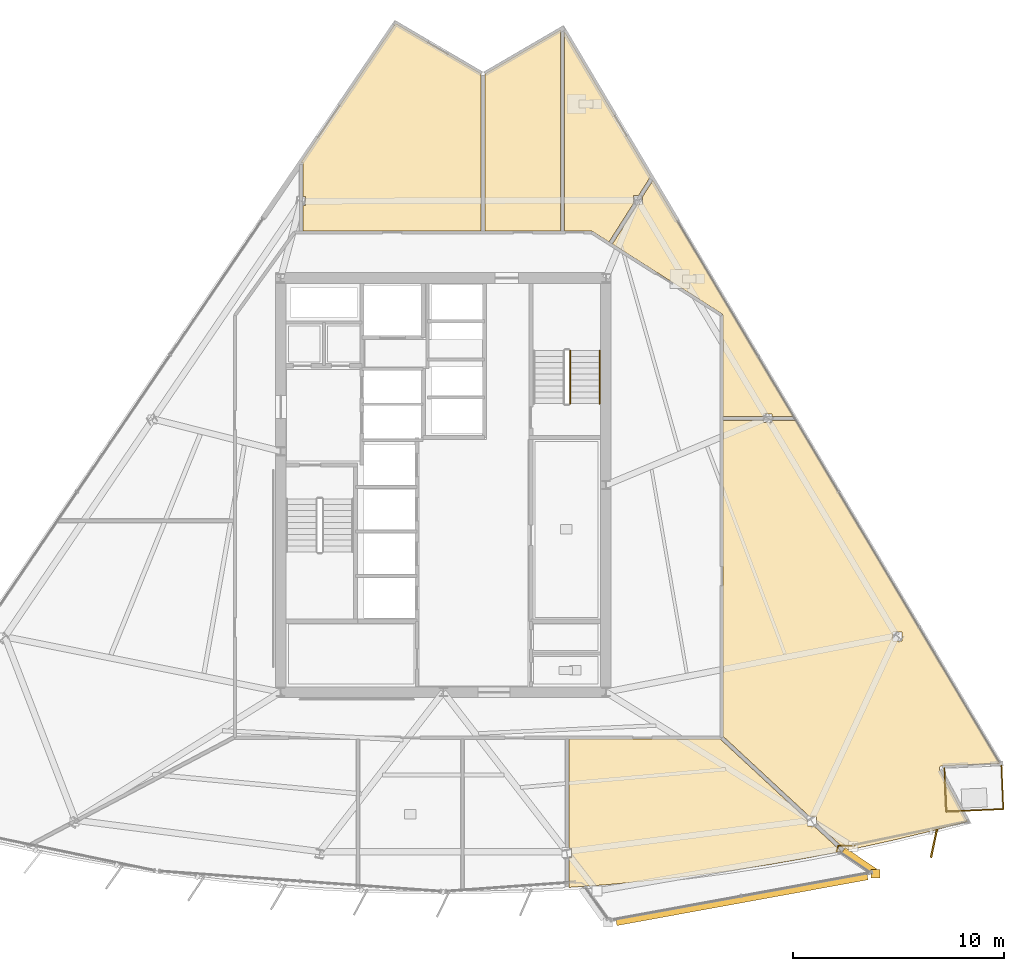
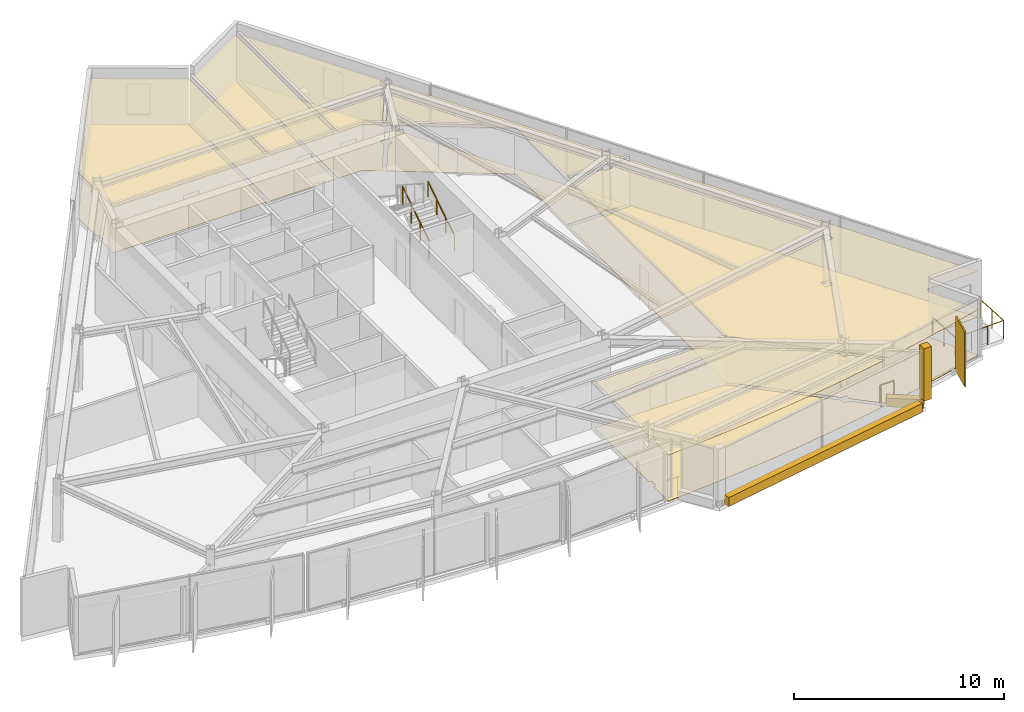
# One storey, part 11 of 12: 15 coverings, 6 railings, 1 shading device.
"""IFC4 building model written with IfcOpenShell, lengths in metres."""

import ifcopenshell
import ifcopenshell.guid

model = None  # the IFC model being written
_history = None  # IfcOwnerHistory: only IFC2X3 demands one
_inside = {}  # id of a spatial element -> (the spatial element, [elements in it])
_under = {}  # id of a project, library or spatial element -> (it, [spatial elements below it])
_declared = {}  # id of a project -> (the project, [libraries it declares])
_typed = {}  # id of a type object -> (the type object, [elements of that type])
_made_of = {}  # id of a material, layer set ... -> (it, [elements and type objects made of it])


def new_model(schema):
    """Start an empty IFC model of exactly this schema.

    Asked for "IFC4X3", IfcOpenShell would pick the latest addendum, in which some entities
    have other attributes; the version numbers below select the first issue.
    IFC2X3 requires an IfcOwnerHistory on every rooted entity: one is made here for all.
    """
    global model, _history
    if schema == "IFC4X3":
        model = ifcopenshell.file(schema_version=(4, 3, 0, 0))
    else:
        model = ifcopenshell.file(schema=schema)
    _inside.clear()
    _under.clear()
    _declared.clear()
    _typed.clear()
    _made_of.clear()
    _history = None
    if model.schema == "IFC2X3":
        org = make("IfcOrganization", Name="unknown")
        user = make(
            "IfcPersonAndOrganization",
            ThePerson=make("IfcPerson", FamilyName="unknown"),
            TheOrganization=org,
        )
        app = make(
            "IfcApplication",
            ApplicationDeveloper=org,
            Version="unknown",
            ApplicationFullName="unknown",
            ApplicationIdentifier="unknown",
        )
        _history = make(
            "IfcOwnerHistory",
            OwningUser=user,
            OwningApplication=app,
            ChangeAction="ADDED",
            CreationDate=0,
        )
    return model


def make(cls, **values):
    """One entity of the class cls with the attributes given. An attribute that is None is left unset."""
    return model.create_entity(
        cls, **{name: value for name, value in values.items() if value is not None}
    )


def rooted(cls, **values):
    """An entity with a GlobalId (a new one), such as an element, a storey or a relation."""
    return make(cls, GlobalId=ifcopenshell.guid.new(), OwnerHistory=_history, **values)


def si_unit(unit_type, name, prefix=None):
    """IfcSIUnit, for example si_unit("LENGTHUNIT", "METRE", prefix="MILLI")."""
    return make("IfcSIUnit", UnitType=unit_type, Prefix=prefix, Name=name)


def assignment(units):
    """IfcUnitAssignment: the units of a project."""
    return None if units is None else make("IfcUnitAssignment", Units=units)


def point(xyz):
    """IfcCartesianPoint."""
    return None if xyz is None else make("IfcCartesianPoint", Coordinates=xyz)


def direction(xyz):
    """IfcDirection."""
    return None if xyz is None else make("IfcDirection", DirectionRatios=xyz)


def frame(location, z_axis=None, x_axis=None):
    """IfcAxis2Placement3D, a coordinate frame: its origin and axes. An axis left out is left unset."""
    return make(
        "IfcAxis2Placement3D",
        Location=point(location),
        Axis=direction(z_axis),
        RefDirection=direction(x_axis),
    )


def frame_2d(location, x_axis=None):
    """IfcAxis2Placement2D, a coordinate frame in the plane: its origin and x axis."""
    return make(
        "IfcAxis2Placement2D", Location=point(location), RefDirection=direction(x_axis)
    )


def origin():
    """The frame at (0, 0, 0) with its axes left unset."""
    return frame((0.0, 0.0, 0.0))


def origin_2d():
    """The frame at (0, 0) in the plane with its x axis left unset."""
    return frame_2d((0.0, 0.0))


def place(relative_to, where):
    """IfcLocalPlacement: puts the frame where relative to a parent placement (None: the world)."""
    return make(
        "IfcLocalPlacement", PlacementRelTo=relative_to, RelativePlacement=where
    )


def context(
    kind, dimensions, precision=None, world=None, true_north=None, identifier=None
):
    """IfcGeometricRepresentationContext, for example the 3D "Model" context."""
    return make(
        "IfcGeometricRepresentationContext",
        ContextIdentifier=identifier,
        ContextType=kind,
        CoordinateSpaceDimension=dimensions,
        Precision=precision,
        WorldCoordinateSystem=world,
        TrueNorth=true_north,
    )


def subcontext(parent, identifier, kind, view, scale=None):
    """IfcGeometricRepresentationSubContext, for example "Body" below "Model"."""
    return make(
        "IfcGeometricRepresentationSubContext",
        ContextIdentifier=identifier,
        ContextType=kind,
        ParentContext=parent,
        TargetScale=scale,
        TargetView=view,
    )


def project(units=None, contexts=None):
    """IfcProject with its units and contexts."""
    return rooted(
        "IfcProject",
        Name="project",
        RepresentationContexts=contexts,
        UnitsInContext=assignment(units),
    )


def spatial(cls, under=None, at=None, **own):
    """A site, building, storey or space (cls), placed at a placement, below another one or the project."""
    s = rooted(cls, ObjectPlacement=at, **own)
    if under is not None:
        _under.setdefault(under.id(), (under, []))[1].append(s)
    return s


def polyline(points):
    """IfcPolyline through the points."""
    return make("IfcPolyline", Points=[point(p) for p in points])


def profile(cls, at=None, kind="AREA", **sizes):
    """A parametric profile (cls). Its sizes go by their IFC names, for example OverallWidth=200.0."""
    return make(cls, ProfileType=kind, Position=at, **sizes)


def rectangle(**sizes):
    """IfcRectangleProfileDef."""
    return profile("IfcRectangleProfileDef", **sizes)


def circle(**sizes):
    """IfcCircleProfileDef."""
    return profile("IfcCircleProfileDef", **sizes)


def outline(outer, holes=None, kind="AREA"):
    """IfcArbitraryClosedProfileDef: a profile drawn as a closed curve; with holes, ...WithVoids."""
    if holes is None:
        return make("IfcArbitraryClosedProfileDef", ProfileType=kind, OuterCurve=outer)
    return make(
        "IfcArbitraryProfileDefWithVoids",
        ProfileType=kind,
        OuterCurve=outer,
        InnerCurves=holes,
    )


def extrude(swept, where, along, depth):
    """IfcExtrudedAreaSolid: the profile swept, set in the frame where, extruded along a direction by depth."""
    return make(
        "IfcExtrudedAreaSolid",
        SweptArea=swept,
        Position=where,
        ExtrudedDirection=direction(along),
        Depth=depth,
    )


def shape(context_of_items, identifier, shape_type, items):
    """IfcShapeRepresentation: the items that make up one representation, for example the "Body"."""
    return make(
        "IfcShapeRepresentation",
        ContextOfItems=context_of_items,
        RepresentationIdentifier=identifier,
        RepresentationType=shape_type,
        Items=items,
    )


def material(Name=None, Category=None):
    """IfcMaterial."""
    return make("IfcMaterial", Name=Name, Category=Category)


def layer(
    of_material, thickness, ventilated=None, Name=None, Category=None, Priority=None
):
    """IfcMaterialLayer: one layer of a wall or slab, of a material (None: an air gap)."""
    return make(
        "IfcMaterialLayer",
        Material=of_material,
        LayerThickness=thickness,
        IsVentilated=ventilated,
        Name=Name,
        Category=Category,
        Priority=Priority,
    )


def layer_set(layers, Name=None):
    """IfcMaterialLayerSet."""
    return make("IfcMaterialLayerSet", MaterialLayers=layers, LayerSetName=Name)


def made_of(thing, what):
    """Note that an element or type object is made of a material, layer set ...; save() writes the relation."""
    if what is not None:
        _made_of.setdefault(what.id(), (what, []))[1].append(thing)
    return thing


def type_object(cls, material=None, **own):
    """A type object (cls), such as IfcWallType, which elements share."""
    return made_of(rooted(cls, **own), material)


def element(
    cls,
    number,
    at=None,
    inside=None,
    cuts=None,
    type_object=None,
    material=None,
    context=None,
    identifier="Body",
    shape_type=None,
    held_by="IfcProductDefinitionShape",
    body=None,
    shapes=None,
    **own,
):
    """One element of the class cls, such as IfcWall. Its Tag is "e" and its number.

    at: its placement. inside: the storey or other place that contains it. cuts: it is an
    opening in that element (IfcRelVoidsElement). A single representation is given by context,
    identifier, shape_type and body (its items); several are given by shapes. held_by: the class
    of the entity that holds the representations. save() writes the other relations.
    """
    e = rooted(cls, Tag="e%d" % number, ObjectPlacement=at, **own)
    if body is not None:
        shapes = [shape(context, identifier, shape_type, body)]
    if shapes is not None:
        e.Representation = make(held_by, Representations=shapes)
    if inside is not None:
        _inside.setdefault(inside.id(), (inside, []))[1].append(e)
    if cuts is not None:
        rooted(
            "IfcRelVoidsElement", RelatingBuildingElement=cuts, RelatedOpeningElement=e
        )
    if type_object is not None:
        _typed.setdefault(type_object.id(), (type_object, []))[1].append(e)
    return made_of(e, material)


def aggregate(whole, parts):
    """IfcRelAggregates: a whole, such as a stair, and the parts it consists of."""
    return rooted("IfcRelAggregates", RelatingObject=whole, RelatedObjects=parts)


def save(model, path):
    """Write the relations noted so far, then the file.

    IfcRelAggregates (storeys below a building ...), IfcRelContainedInSpatialStructure (elements
    in a storey), IfcRelDefinesByType, IfcRelAssociatesMaterial and IfcRelDeclares: one each for
    every whole, place, type object, material and project.
    """
    for whole, parts in _under.values():
        aggregate(whole, parts)
    for where, things in _inside.values():
        rooted(
            "IfcRelContainedInSpatialStructure",
            RelatedElements=things,
            RelatingStructure=where,
        )
    for kind, things in _typed.values():
        rooted("IfcRelDefinesByType", RelatedObjects=things, RelatingType=kind)
    for what, things in _made_of.values():
        rooted("IfcRelAssociatesMaterial", RelatedObjects=things, RelatingMaterial=what)
    for by, libraries in _declared.values():
        rooted("IfcRelDeclares", RelatingContext=by, RelatedDefinitions=libraries)
    model.write(path)


model = new_model("IFC4")

# Units and contexts
model_context = context("Model", 3, precision=1e-05, world=origin(), true_north=direction((0.0, 1.0)))
body_context = subcontext(model_context, "Body", "Model", "MODEL_VIEW")
ifc_project = project(units=[si_unit("LENGTHUNIT", "METRE"), si_unit("AREAUNIT", "SQUARE_METRE"), si_unit("VOLUMEUNIT", "CUBIC_METRE"), si_unit("PLANEANGLEUNIT", "RADIAN"), si_unit("MASSUNIT", "GRAM", prefix="KILO")], contexts=[model_context])

# Site, building, storey
site_placement = place(None, origin())
site = spatial("IfcSite", under=ifc_project, at=site_placement, CompositionType="ELEMENT")
building_placement = place(site_placement, origin())
building = spatial("IfcBuilding", under=site, at=building_placement, Name="Savorim Split Tower", CompositionType="ELEMENT")
storey_placement = place(building_placement, frame((0.0, 0.0, 171.0)))
storey = spatial("IfcBuildingStorey", under=building, at=storey_placement, Name="L45", CompositionType="ELEMENT", Elevation=171.0)

# Coverings
ifc_material_1 = material(Name="Mineral Fibre Acoustic Ceiling")
ifc_layer_1 = layer(ifc_material_1, 0.02490234375)
ifc_layer_set_1 = layer_set([ifc_layer_1], Name="COV-CEIL-25")
covering_type_1 = type_object("IfcCoveringType", Name="COV-CEIL-25", PredefinedType="CEILING", material=ifc_layer_set_1)
covering_1_placement = place(storey_placement, frame((0.0, 0.0, 2.669921875)))
element("IfcCovering", 1, at=covering_1_placement, inside=storey, type_object=covering_type_1, Name="L45 Maker Workshop Acoustic Ceiling", PredefinedType="CEILING", context=body_context, shape_type="SweptSolid", body=[
    extrude(outline(polyline([(11.6279296875, -18.1171875), (13.5537109375, -17.859619140625), (15.4736328125, -17.5625), (17.38720703125, -17.226318359375), (18.8369140625, -16.94091796875), (17.53759765625, -15.735107421875), (17.240966796875, -15.735107421875), (17.240966796875, -15.459716796875), (13.13427734375, -11.6484375), (13.103515625, -11.619873046875), (13.10009765625, -11.6201171875), (5.94384765625, -11.6201171875), (5.94384765625, -16.8056640625), (6.059326171875, -16.8056640625), (6.059326171875, -17.224609375), (5.94384765625, -17.224609375), (5.94384765625, -18.601318359375), (5.94384765625, -18.64453125), (7.7626953125, -18.51416015625), (9.697509765625, -18.33544921875), (11.6279296875, -18.1171875)])), origin(), (0.0, 0.0, 1.0), 0.025146484375),
])
covering_2_placement = place(storey_placement, frame((0.0, 0.0, 2.669921875)))
element("IfcCovering", 2, at=covering_2_placement, inside=storey, type_object=covering_type_1, Name="L45 Maker Workshop Acoustic Ceiling", PredefinedType="CEILING", context=body_context, shape_type="SweptSolid", body=[
    extrude(outline(polyline([(23.5703125, -12.8935546875), (23.58154296875, -12.891357421875), (23.593017578125, -12.890380859375), (26.335205078125, -12.773681640625), (16.66015625, 3.4970703125), (16.66015625, 3.4638671875), (15.569580078125, 3.4638671875), (15.569580078125, 3.349365234375), (15.148681640625, 3.349365234375), (15.148681640625, 3.4638671875), (13.239990234375, 3.4638671875), (13.239990234375, -11.47998046875), (13.23974609375, -11.487060546875), (17.365478515625, -15.31591796875), (17.662109375, -15.31591796875), (17.662109375, -15.59130859375), (18.971435546875, -16.806396484375), (19.041259765625, -16.87109375), (19.007568359375, -16.9072265625), (19.29345703125, -16.85107421875), (21.19140625, -16.436767578125), (23.080810546875, -15.98388671875), (24.814208984375, -15.530517578125), (23.492431640625, -13.06689453125), (23.4873046875, -13.056396484375), (23.4833984375, -13.045654296875), (23.480712890625, -13.034423828125), (23.478759765625, -13.023193359375), (23.47802734375, -13.01171875), (23.478515625, -13.0), (23.47998046875, -12.988525390625), (23.482666015625, -12.977294921875), (23.486328125, -12.96630859375), (23.4912109375, -12.955810546875), (23.496826171875, -12.94580078125), (23.50341796875, -12.936279296875), (23.510986328125, -12.927734375), (23.519287109375, -12.919677734375), (23.5283203125, -12.91259765625), (23.5380859375, -12.90625), (23.54833984375, -12.90087890625), (23.55908203125, -12.896728515625), (23.5703125, -12.8935546875)]), holes=[polyline([(21.712158203125, -6.980712890625), (21.712158203125, -6.5615234375), (21.291015625, -6.5615234375), (21.291015625, -6.980712890625), (21.712158203125, -6.980712890625)])]), origin(), (0.0, 0.0, 1.0), 0.025146484375),
])
covering_3_placement = place(storey_placement, frame((0.0, 0.0, 2.669921875)))
element("IfcCovering", 3, at=covering_3_placement, inside=storey, type_object=covering_type_1, Name="L45 Shared Bathroom Acoustic Ceiling", PredefinedType="CEILING", context=body_context, shape_type="SweptSolid", body=[
    extrude(outline(polyline([(15.569580078125, 3.768310546875), (15.569580078125, 3.65380859375), (16.565185546875, 3.65380859375), (16.56689453125, 3.65380859375), (9.924560546875, 14.824462890625), (9.42724609375, 14.042724609375), (9.42724609375, 13.67919921875), (9.1962890625, 13.67919921875), (8.005126953125, 11.806640625), (8.0048828125, 11.806640625), (13.175048828125, 8.51806640625), (13.1865234375, 8.510009765625), (13.197265625, 8.500732421875), (13.206787109375, 8.490478515625), (13.21533203125, 8.479248046875), (13.22265625, 8.46728515625), (13.22900390625, 8.45458984375), (13.233642578125, 8.44140625), (13.2373046875, 8.427978515625), (13.2392578125, 8.4140625), (13.239990234375, 8.39990234375), (13.239990234375, 3.65380859375), (15.148681640625, 3.65380859375), (15.148681640625, 3.768310546875), (15.569580078125, 3.768310546875)])), origin(), (0.0, 0.0, 1.0), 0.025146484375),
])
covering_4_placement = place(storey_placement, frame((0.0, 0.0, 2.669921875)))
element("IfcCovering", 4, at=covering_4_placement, inside=storey, type_object=covering_type_1, Name="L45 Shared Bathroom Acoustic Ceiling", PredefinedType="CEILING", context=body_context, shape_type="SweptSolid", body=[
    extrude(outline(polyline([(9.760009765625, 14.919677734375), (9.810791015625, 14.999755859375), (9.825927734375, 14.990234375), (5.73486328125, 21.87060546875), (5.73486328125, 12.419921875), (7.0, 12.419921875), (7.01318359375, 12.41943359375), (7.0263671875, 12.41748046875), (7.0390625, 12.414306640625), (7.051513671875, 12.41015625), (7.063720703125, 12.40478515625), (7.0751953125, 12.398193359375), (7.8447265625, 11.90869140625), (9.00634765625, 13.73486328125), (9.00634765625, 14.098388671875), (9.237548828125, 14.098388671875), (9.760009765625, 14.919677734375)])), origin(), (0.0, 0.0, 1.0), 0.025146484375),
])
covering_5_placement = place(storey_placement, frame((0.0, 0.0, 2.669921875)))
element("IfcCovering", 5, at=covering_5_placement, inside=storey, type_object=covering_type_1, Name="L45 Quiet Study Room Acoustic Ceiling", PredefinedType="CEILING", context=body_context, shape_type="SweptSolid", body=[
    extrude(outline(polyline([(1.986572265625, 12.419921875), (5.544921875, 12.419921875), (5.544921875, 21.94140625), (1.986572265625, 19.86767578125), (1.986572265625, 12.419921875)])), origin(), (0.0, 0.0, 1.0), 0.025146484375),
])
covering_6_placement = place(storey_placement, frame((0.0, 0.0, 2.669921875)))
element("IfcCovering", 6, at=covering_6_placement, inside=storey, type_object=covering_type_1, Name="L45 Maker Workshop Acoustic Ceiling", PredefinedType="CEILING", context=body_context, shape_type="SweptSolid", body=[
    extrude(outline(polyline([(-6.645751953125, 12.419921875), (1.79638671875, 12.419921875), (1.79638671875, 19.868408203125), (-2.259521484375, 22.252197265625), (-6.73681640625, 15.670654296875), (-6.645751953125, 15.670654296875), (-6.645751953125, 14.049560546875), (-6.5302734375, 14.049560546875), (-6.5302734375, 13.630615234375), (-6.645751953125, 13.630615234375), (-6.645751953125, 12.419921875)])), origin(), (0.0, 0.0, 1.0), 0.025146484375),
])
ifc_material_2 = material(Name="Porcelain Stoneware Flooring", Category="masonry")
ifc_layer_2 = layer(ifc_material_2, 0.02001953125)
ifc_layer_set_2 = layer_set([ifc_layer_2], Name="COV-FLOR-20")
covering_type_2 = type_object("IfcCoveringType", Name="COV-FLOR-20", PredefinedType="FLOORING", material=ifc_layer_set_2)
covering_7_placement = place(storey_placement, origin())
element("IfcCovering", 7, at=covering_7_placement, inside=storey, type_object=covering_type_2, Name="L45 Maker Workshop Porcelain Flooring", PredefinedType="FLOORING", context=body_context, shape_type="SweptSolid", body=[
    extrude(outline(polyline([(11.6279296875, -18.1171875), (13.5537109375, -17.859619140625), (15.4736328125, -17.5625), (17.38720703125, -17.226318359375), (18.8369140625, -16.94091796875), (17.53759765625, -15.735107421875), (17.240966796875, -15.735107421875), (17.240966796875, -15.459716796875), (13.13427734375, -11.6484375), (13.103515625, -11.619873046875), (13.10009765625, -11.6201171875), (5.94384765625, -11.6201171875), (5.94384765625, -16.8056640625), (6.059326171875, -16.8056640625), (6.059326171875, -17.224609375), (5.94384765625, -17.224609375), (5.94384765625, -18.601318359375), (5.94384765625, -18.64453125), (7.7626953125, -18.51416015625), (9.697509765625, -18.33544921875), (11.6279296875, -18.1171875)])), origin(), (0.0, 0.0, 1.0), 0.02001953125),
])
covering_8_placement = place(storey_placement, origin())
element("IfcCovering", 8, at=covering_8_placement, inside=storey, type_object=covering_type_2, Name="L45 Maker Workshop Porcelain Flooring", PredefinedType="FLOORING", context=body_context, shape_type="SweptSolid", body=[
    extrude(outline(polyline([(23.5703125, -12.8935546875), (23.58154296875, -12.891357421875), (23.593017578125, -12.890380859375), (26.335205078125, -12.773681640625), (16.66015625, 3.4970703125), (16.66015625, 3.4638671875), (15.569580078125, 3.4638671875), (15.569580078125, 3.349365234375), (15.148681640625, 3.349365234375), (15.148681640625, 3.4638671875), (13.239990234375, 3.4638671875), (13.239990234375, -11.47998046875), (13.23974609375, -11.487060546875), (17.365478515625, -15.31591796875), (17.662109375, -15.31591796875), (17.662109375, -15.59130859375), (18.971435546875, -16.806396484375), (19.041259765625, -16.87109375), (19.007568359375, -16.9072265625), (19.29345703125, -16.85107421875), (21.19140625, -16.436767578125), (23.080810546875, -15.98388671875), (24.814208984375, -15.530517578125), (23.492431640625, -13.06689453125), (23.4873046875, -13.056396484375), (23.4833984375, -13.045654296875), (23.480712890625, -13.034423828125), (23.478759765625, -13.023193359375), (23.47802734375, -13.01171875), (23.478515625, -13.0), (23.47998046875, -12.988525390625), (23.482666015625, -12.977294921875), (23.486328125, -12.96630859375), (23.4912109375, -12.955810546875), (23.496826171875, -12.94580078125), (23.50341796875, -12.936279296875), (23.510986328125, -12.927734375), (23.519287109375, -12.919677734375), (23.5283203125, -12.91259765625), (23.5380859375, -12.90625), (23.54833984375, -12.90087890625), (23.55908203125, -12.896728515625), (23.5703125, -12.8935546875)]), holes=[polyline([(21.712158203125, -6.980712890625), (21.712158203125, -6.5615234375), (21.291015625, -6.5615234375), (21.291015625, -6.980712890625), (21.712158203125, -6.980712890625)])]), origin(), (0.0, 0.0, 1.0), 0.02001953125),
])
covering_9_placement = place(storey_placement, origin())
element("IfcCovering", 9, at=covering_9_placement, inside=storey, type_object=covering_type_2, Name="L45 Shared Bathroom Porcelain Flooring", PredefinedType="FLOORING", context=body_context, shape_type="SweptSolid", body=[
    extrude(outline(polyline([(15.569580078125, 3.768310546875), (15.569580078125, 3.65380859375), (16.565185546875, 3.65380859375), (16.56689453125, 3.65380859375), (9.924560546875, 14.824462890625), (9.42724609375, 14.042724609375), (9.42724609375, 13.67919921875), (9.1962890625, 13.67919921875), (8.005126953125, 11.806640625), (8.0048828125, 11.806640625), (13.175048828125, 8.51806640625), (13.1865234375, 8.510009765625), (13.197265625, 8.500732421875), (13.206787109375, 8.490478515625), (13.21533203125, 8.479248046875), (13.22265625, 8.46728515625), (13.22900390625, 8.45458984375), (13.233642578125, 8.44140625), (13.2373046875, 8.427978515625), (13.2392578125, 8.4140625), (13.239990234375, 8.39990234375), (13.239990234375, 3.65380859375), (15.148681640625, 3.65380859375), (15.148681640625, 3.768310546875), (15.569580078125, 3.768310546875)])), origin(), (0.0, 0.0, 1.0), 0.02001953125),
])
covering_10_placement = place(storey_placement, origin())
element("IfcCovering", 10, at=covering_10_placement, inside=storey, type_object=covering_type_2, Name="L45 Shared Bathroom Porcelain Flooring", PredefinedType="FLOORING", context=body_context, shape_type="SweptSolid", body=[
    extrude(outline(polyline([(9.760009765625, 14.919677734375), (9.810791015625, 14.999755859375), (9.825927734375, 14.990234375), (5.73486328125, 21.87060546875), (5.73486328125, 12.419921875), (7.0, 12.419921875), (7.01318359375, 12.41943359375), (7.0263671875, 12.41748046875), (7.0390625, 12.414306640625), (7.051513671875, 12.41015625), (7.063720703125, 12.40478515625), (7.0751953125, 12.398193359375), (7.8447265625, 11.90869140625), (9.00634765625, 13.73486328125), (9.00634765625, 14.098388671875), (9.237548828125, 14.098388671875), (9.760009765625, 14.919677734375)])), origin(), (0.0, 0.0, 1.0), 0.02001953125),
])
covering_11_placement = place(storey_placement, origin())
element("IfcCovering", 11, at=covering_11_placement, inside=storey, type_object=covering_type_2, Name="L45 Quiet Study Room Porcelain Flooring", PredefinedType="FLOORING", context=body_context, shape_type="SweptSolid", body=[
    extrude(outline(polyline([(1.986572265625, 12.419921875), (5.544921875, 12.419921875), (5.544921875, 21.94140625), (1.986572265625, 19.86767578125), (1.986572265625, 12.419921875)])), origin(), (0.0, 0.0, 1.0), 0.02001953125),
])
covering_12_placement = place(storey_placement, origin())
element("IfcCovering", 12, at=covering_12_placement, inside=storey, type_object=covering_type_2, Name="L45 Maker Workshop Porcelain Flooring", PredefinedType="FLOORING", context=body_context, shape_type="SweptSolid", body=[
    extrude(outline(polyline([(-6.645751953125, 12.419921875), (1.79638671875, 12.419921875), (1.79638671875, 19.868408203125), (-2.259521484375, 22.252197265625), (-6.73681640625, 15.670654296875), (-6.645751953125, 15.670654296875), (-6.645751953125, 14.049560546875), (-6.5302734375, 14.049560546875), (-6.5302734375, 13.630615234375), (-6.645751953125, 13.630615234375), (-6.645751953125, 12.419921875)])), origin(), (0.0, 0.0, 1.0), 0.02001953125),
])
ifc_material_3 = material(Name="White Porcelain Architectural Cladding")
ifc_layer_3 = layer(ifc_material_3, 0.139892578125)
ifc_layer_set_3 = layer_set([ifc_layer_3], Name="COV-FRM-WHITE")
covering_type_3 = type_object("IfcCoveringType", Name="COV-FRM-WHITE", PredefinedType="CLADDING", material=ifc_layer_set_3)
covering_13_placement = place(storey_placement, frame((0.0, 0.0, 0.010009765625)))
element("IfcCovering", 13, at=covering_13_placement, inside=storey, type_object=covering_type_3, Name="L45 Cantilevered Lounge White Lower Frame Band F", PredefinedType="CLADDING", context=body_context, shape_type="SweptSolid", body=[
    extrude(outline(polyline([(8.2216796875, -20.453369140625), (20.108642578125, -18.2841796875), (20.047607421875, -17.94970703125), (8.16064453125, -20.118896484375), (8.2216796875, -20.453369140625)])), origin(), (0.0, 0.0, 1.0), 0.510009765625),
])
covering_14_placement = place(storey_placement, frame((0.0, 0.0, 0.010009765625)))
element("IfcCovering", 14, at=covering_14_placement, inside=storey, type_object=covering_type_3, Name="L45 Cantilevered Lounge White Lower Frame Band E", PredefinedType="CLADDING", context=body_context, shape_type="SweptSolid", body=[
    extrude(outline(polyline([(20.51904296875, -17.768798828125), (19.026123046875, -16.76318359375), (18.836181640625, -17.045166015625), (20.3291015625, -18.05078125), (20.51904296875, -17.768798828125)])), origin(), (0.0, 0.0, 1.0), 0.510009765625),
])
covering_15_placement = place(storey_placement, frame((0.0, 0.0, 0.5400390625)))
element("IfcCovering", 15, at=covering_15_placement, inside=storey, type_object=covering_type_3, Name="L45 Cantilevered Lounge White Frame Corner Post 2", PredefinedType="CLADDING", context=body_context, shape_type="SweptSolid", body=[
    extrude(outline(polyline([(20.252685546875, -18.205810546875), (20.672607421875, -18.205810546875), (20.672607421875, -17.785888671875), (20.252685546875, -17.785888671875), (20.252685546875, -18.205810546875)])), origin(), (0.0, 0.0, 1.0), 3.050048828125),
])

# Railings
ifc_material_4 = material(Name="Galvanised Painted Steel Balustrade", Category="steel")
railing_type_1 = type_object("IfcRailingType", Name="RLG-BAL-1100", PredefinedType="BALUSTRADE", material=ifc_material_4)
railing_1_placement = place(storey_placement, frame((18.61474609375, -16.939208984375, 0.0)))
element("IfcRailing", 16, at=railing_1_placement, inside=storey, type_object=railing_type_1, Name="L45 Cantilevered Lounge East Edge Closure Guard", PredefinedType="BALUSTRADE", context=body_context, shape_type="SweptSolid", body=[
    extrude(circle(Radius=0.02392578125, at=origin_2d()), frame((0.0, 0.0, 1.076171875), z_axis=(0.306415654855, 0.951897813034, 0.0), x_axis=(-0.951897813034, 0.306415654855, 0.0)), (0.0, 0.0, 1.0), 0.29150390625),
    extrude(circle(Radius=0.02392578125, at=origin_2d()), frame((0.08935546875, 0.277587890625, 1.076171875), z_axis=(1.0, 0.0, 0.0), x_axis=(0.0, 1.0, 0.0)), (0.0, 0.0, 1.0), 0.780029296875),
    extrude(circle(Radius=0.02099609375, at=origin_2d()), origin(), (0.0, 0.0, 1.0), 1.052001953125),
    extrude(circle(Radius=0.02099609375, at=origin_2d()), frame((0.08935546875, 0.277587890625, 0.0)), (0.0, 0.0, 1.0), 1.052001953125),
    extrude(circle(Radius=0.02099609375, at=origin_2d()), frame((0.869384765625, 0.277587890625, 0.0)), (0.0, 0.0, 1.0), 1.052001953125),
])
railing_2_placement = place(storey_placement, frame((26.4208984375, -12.89013671875, 0.0)))
element("IfcRailing", 17, at=railing_2_placement, inside=storey, type_object=railing_type_1, Name="L45 Tree Balcony Guardrail SE-1", PredefinedType="BALUSTRADE", context=body_context, shape_type="SweptSolid", body=[
    extrude(circle(Radius=0.02392578125, at=origin_2d()), frame((0.0, 0.0, 1.076171875), z_axis=(0.042517246, -0.999095733047, 0.0), x_axis=(0.999095733047, 0.042517246, 0.0)), (0.0, 0.0, 1.0), 2.050048828125),
    extrude(circle(Radius=0.02099609375, at=origin_2d()), origin(), (0.0, 0.0, 1.0), 1.052001953125),
    extrude(circle(Radius=0.02099609375, at=origin_2d()), frame((0.04345703125, -1.02392578125, 0.0)), (0.0, 0.0, 1.0), 1.052001953125),
    extrude(circle(Radius=0.02099609375, at=origin_2d()), frame((0.087158203125, -2.048095703125, 0.0)), (0.0, 0.0, 1.0), 1.052001953125),
])
railing_3_placement = place(storey_placement, frame((26.508056640625, -14.938232421875, 0.0)))
element("IfcRailing", 18, at=railing_3_placement, inside=storey, type_object=railing_type_1, Name="L45 Tree Balcony Guardrail SE-2", PredefinedType="BALUSTRADE", context=body_context, shape_type="SweptSolid", body=[
    extrude(circle(Radius=0.02392578125, at=origin_2d()), frame((0.0, 0.0, 1.076171875), z_axis=(-0.99909624843, -0.042505133503, 0.0), x_axis=(0.042505133503, -0.99909624843, 0.0)), (0.0, 0.0, 1.0), 2.705322265625),
    extrude(circle(Radius=0.02099609375, at=origin_2d()), origin(), (0.0, 0.0, 1.0), 1.052001953125),
    extrude(circle(Radius=0.02099609375, at=origin_2d()), frame((-0.90087890625, -0.038330078125, 0.0)), (0.0, 0.0, 1.0), 1.052001953125),
    extrude(circle(Radius=0.02099609375, at=origin_2d()), frame((-1.802001953125, -0.07666015625, 0.0)), (0.0, 0.0, 1.0), 1.052001953125),
    extrude(circle(Radius=0.02099609375, at=origin_2d()), frame((-2.702880859375, -0.114990234375, 0.0)), (0.0, 0.0, 1.0), 1.052001953125),
])
railing_4_placement = place(storey_placement, frame((23.80517578125, -15.05322265625, 0.0)))
element("IfcRailing", 19, at=railing_4_placement, inside=storey, type_object=railing_type_1, Name="L45 Tree Balcony Guardrail SE-3", PredefinedType="BALUSTRADE", context=body_context, shape_type="SweptSolid", body=[
    extrude(circle(Radius=0.02392578125, at=origin_2d()), frame((0.0, 0.0, 1.076171875), z_axis=(-0.042517246, 0.999095733047, 0.0), x_axis=(-0.999095733047, -0.042517246, 0.0)), (0.0, 0.0, 1.0), 2.050048828125),
    extrude(circle(Radius=0.02099609375, at=origin_2d()), origin(), (0.0, 0.0, 1.0), 1.052001953125),
    extrude(circle(Radius=0.02099609375, at=origin_2d()), frame((-0.04345703125, 1.02392578125, 0.0)), (0.0, 0.0, 1.0), 1.052001953125),
    extrude(circle(Radius=0.02099609375, at=origin_2d()), frame((-0.087158203125, 2.048095703125, 0.0)), (0.0, 0.0, 1.0), 1.052001953125),
])
railing_type_2 = type_object("IfcRailingType", Name="RLG-HR-900", PredefinedType="HANDRAIL", material=ifc_material_4)
railing_5_placement = place(storey_placement, frame((7.39990234375, 4.25, 0.179931640625)))
element("IfcRailing", 20, at=railing_5_placement, inside=storey, type_object=railing_type_2, Name="L45 ST-2 stair handrail 1", PredefinedType="HANDRAIL", context=body_context, shape_type="SweptSolid", body=[
    extrude(circle(Radius=0.02392578125, at=origin_2d()), frame((0.0, 0.0, 0.8759765625), z_axis=(0.0, 0.841162588446, 0.540782303519), x_axis=(-1.0, 0.0, 0.0)), (0.0, 0.0, 1.0), 2.995849609375),
    extrude(circle(Radius=0.02099609375, at=origin_2d()), origin(), (0.0, 0.0, 1.0), 0.851806640625),
    extrude(circle(Radius=0.02099609375, at=origin_2d()), frame((0.0, 0.840087890625, 0.5400390625)), (0.0, 0.0, 1.0), 0.851806640625),
    extrude(circle(Radius=0.02099609375, at=origin_2d()), frame((0.0, 1.679931640625, 1.080078125)), (0.0, 0.0, 1.0), 0.851806640625),
    extrude(circle(Radius=0.02099609375, at=origin_2d()), frame((0.0, 2.52001953125, 1.6201171875)), (0.0, 0.0, 1.0), 0.851806640625),
])
railing_type_3 = type_object("IfcRailingType", Name="RLG-STG-1100", PredefinedType="BALUSTRADE", material=ifc_material_4)
railing_6_placement = place(storey_placement, frame((6.0, 4.25, 0.179931640625)))
element("IfcRailing", 21, at=railing_6_placement, inside=storey, type_object=railing_type_3, Name="L45 ST-2 stair guard 1", PredefinedType="BALUSTRADE", context=body_context, shape_type="SweptSolid", body=[
    extrude(circle(Radius=0.02392578125, at=origin_2d()), frame((0.0, 0.0, 1.076171875), z_axis=(0.0, 0.841162588446, 0.540782303519), x_axis=(-1.0, 0.0, 0.0)), (0.0, 0.0, 1.0), 2.995849609375),
    extrude(circle(Radius=0.02099609375, at=origin_2d()), origin(), (0.0, 0.0, 1.0), 1.052001953125),
    extrude(circle(Radius=0.02099609375, at=origin_2d()), frame((0.0, 0.840087890625, 0.5400390625)), (0.0, 0.0, 1.0), 1.052001953125),
    extrude(circle(Radius=0.02099609375, at=origin_2d()), frame((0.0, 1.679931640625, 1.080078125)), (0.0, 0.0, 1.0), 1.052001953125),
    extrude(circle(Radius=0.02099609375, at=origin_2d()), frame((0.0, 2.52001953125, 1.6201171875)), (0.0, 0.0, 1.0), 1.052001953125),
])

# Shading device
ifc_material_5 = material(Name="Terracotta Ceramic-Coated Aluminium Fin", Category="masonry")
shading_device_type = type_object("IfcShadingDeviceType", Name="SHD-FIN-1360", PredefinedType="USERDEFINED", material=ifc_material_5)
shading_device_placement = place(storey_placement, frame((23.2255859375, -16.56201171875, -0.2001953125), z_axis=(0.0, 0.0, 1.0), x_axis=(-0.206721626106, -0.978399800337, 0.0)))
element("IfcShadingDevice", 22, at=shading_device_placement, inside=storey, type_object=shading_device_type, Name="L45 Sawtooth Shading Fin 13", ObjectType="FIN", PredefinedType="USERDEFINED", context=body_context, shape_type="SweptSolid", body=[
    extrude(rectangle(XDim=1.360107421875, YDim=0.080078125, at=origin_2d()), origin(), (0.0, 0.0, 1.0), 3.199951171875),
])

save(model, "model.ifc")
